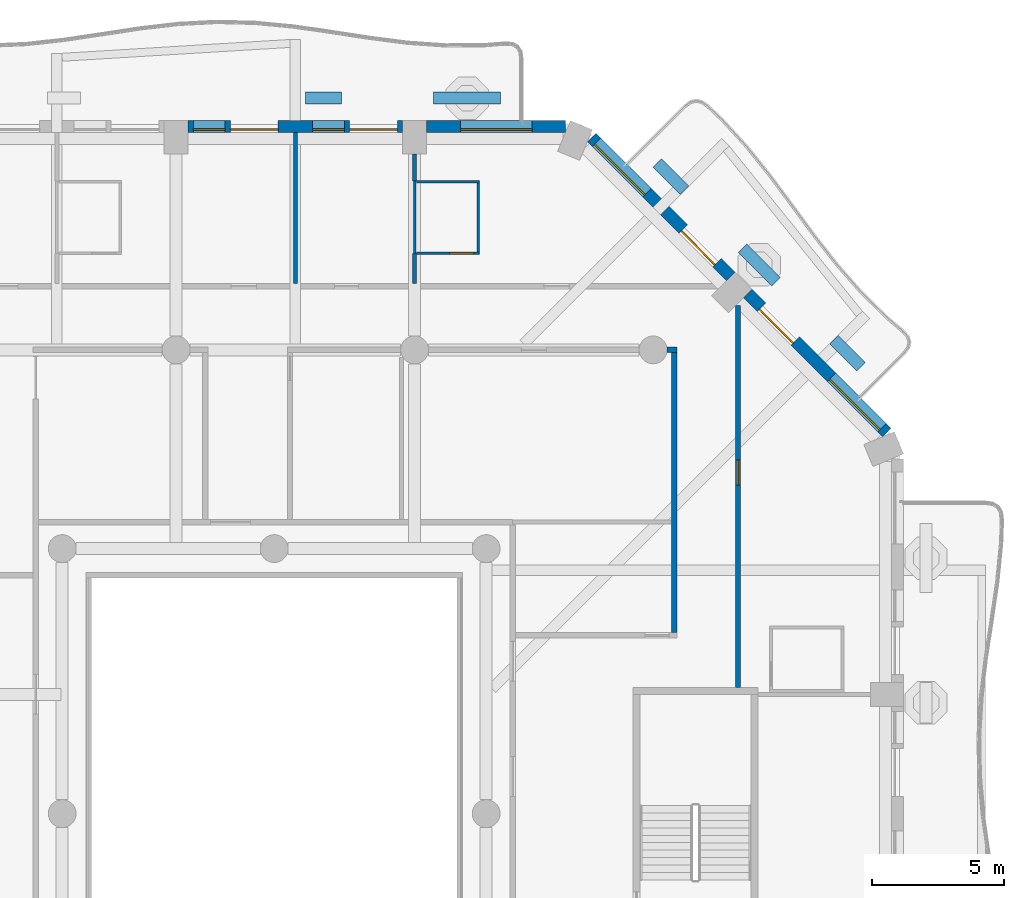
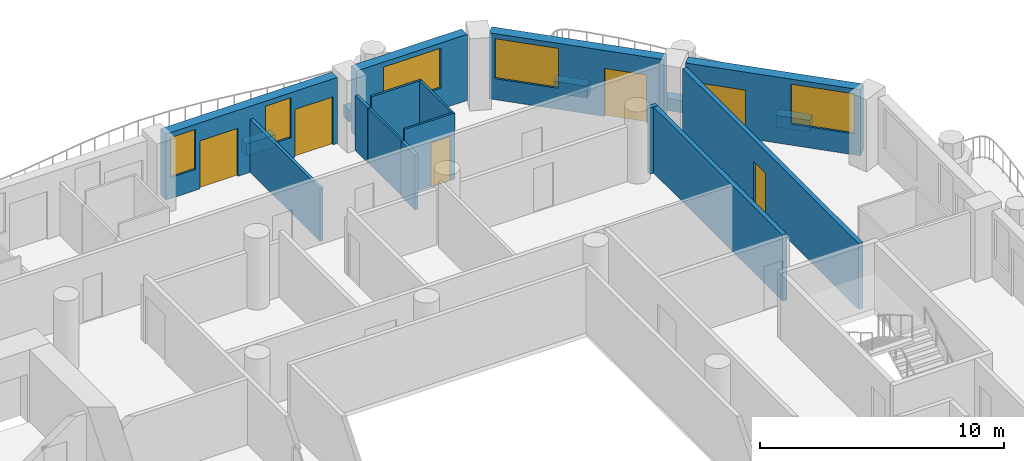
# One storey, part 9 of 19: 19 walls, 6 doors, 5 windows, 11 openings.
"""IFC4 building model written with IfcOpenShell, lengths in metres."""

from ifc_helpers import new_model, si_unit, direction, frame, frame_2d, origin, place, context, subcontext, project, spatial, rectangle, extrude, material, layer, layer_set, type_object, element, fill, save


model = new_model("IFC4")

# Units and contexts
model_context = context("Model", 3, precision=1e-05, world=origin(), true_north=direction((0.0, 1.0)))
body_context = subcontext(model_context, "Body", "Model", "MODEL_VIEW")
ifc_project = project(units=[si_unit("LENGTHUNIT", "METRE"), si_unit("AREAUNIT", "SQUARE_METRE"), si_unit("VOLUMEUNIT", "CUBIC_METRE"), si_unit("PLANEANGLEUNIT", "RADIAN"), si_unit("MASSUNIT", "GRAM", prefix="KILO")], contexts=[model_context])

# Site, building, storey
site_placement = place(None, origin())
site = spatial("IfcSite", under=ifc_project, at=site_placement, CompositionType="ELEMENT")
building_placement = place(site_placement, origin())
building = spatial("IfcBuilding", under=site, at=building_placement, Name="Cypress Arch Tower", CompositionType="ELEMENT")
storey_placement = place(building_placement, frame((0.0, 0.0, 105.89990234375)))
storey = spatial("IfcBuildingStorey", under=building, at=storey_placement, Name="L21", CompositionType="ELEMENT", Elevation=105.89990234375)

# Walls
ifc_material_1 = material(Name="Concrete C40/50, waterproofed", Category="concrete")
ifc_layer_1 = layer(ifc_material_1, 0.449951171875)
ifc_layer_set_1 = layer_set([ifc_layer_1], Name="Balcony planter wall PW450")
wall_type_1 = type_object("IfcWallType", Name="Balcony planter wall PW450", PredefinedType="SOLIDWALL", material=ifc_layer_set_1)
wall_1_placement = place(storey_placement, frame((23.150390625, 16.86376953125, 0.0), z_axis=(0.0, 0.0, 1.0), x_axis=(-0.707106781187, 0.707106781187, 0.0)))
element("IfcWall", 1, at=wall_1_placement, inside=storey, type_object=wall_type_1, Name="Balcony planter wall L21-A07.1", PredefinedType="SOLIDWALL", context=body_context, shape_type="SweptSolid", body=[
    extrude(rectangle(XDim=1.44482421875, YDim=0.449951171875, at=frame_2d((0.722412109375, 0.0))), origin(), (0.0, 0.0, 1.0), 0.60009765625),
])
wall_2_placement = place(storey_placement, frame((19.9365234375, 20.07763671875, 0.0), z_axis=(0.0, 0.0, 1.0), x_axis=(-0.707106781187, 0.707106781187, 0.0)))
element("IfcWall", 2, at=wall_2_placement, inside=storey, type_object=wall_type_1, Name="Balcony planter wall L21-A07.2", PredefinedType="SOLIDWALL", context=body_context, shape_type="SweptSolid", body=[
    extrude(rectangle(XDim=1.780517578125, YDim=0.449951171875, at=frame_2d((0.89013671875, 0.0))), origin(), (0.0, 0.0, 1.0), 0.60009765625),
])
wall_3_placement = place(storey_placement, frame((16.485595703125, 23.528564453125, 0.0), z_axis=(0.0, 0.0, 1.0), x_axis=(-0.707022305137, 0.707191247145, 0.0)))
element("IfcWall", 3, at=wall_3_placement, inside=storey, type_object=wall_type_1, Name="Balcony planter wall L21-A07.3", PredefinedType="SOLIDWALL", context=body_context, shape_type="SweptSolid", body=[
    extrude(rectangle(XDim=1.445068359375, YDim=0.449951171875, at=frame_2d((0.72265625, 0.0))), origin(), (0.0, 0.0, 1.0), 0.60009765625),
])
wall_4_placement = place(storey_placement, frame((9.550048828125, 27.0, 0.0), z_axis=(0.0, 0.0, 1.0), x_axis=(-1.0, 0.0, 0.0)))
element("IfcWall", 4, at=wall_4_placement, inside=storey, type_object=wall_type_1, Name="Balcony planter wall L21-A08.1", PredefinedType="SOLIDWALL", context=body_context, shape_type="SweptSolid", body=[
    extrude(rectangle(XDim=2.53759765625, YDim=0.449951171875, at=frame_2d((1.268798828125, 0.0))), origin(), (0.0, 0.0, 1.0), 0.60009765625),
])
wall_5_placement = place(storey_placement, frame((3.550048828125, 27.0, 0.0), z_axis=(0.0, 0.0, 1.0), x_axis=(-1.0, 0.0, 0.0)))
element("IfcWall", 5, at=wall_5_placement, inside=storey, type_object=wall_type_1, Name="Balcony planter wall L21-A08.2", PredefinedType="SOLIDWALL", context=body_context, shape_type="SweptSolid", body=[
    extrude(rectangle(XDim=1.375, YDim=0.449951171875, at=frame_2d((0.6875, 0.0))), origin(), (0.0, 0.0, 1.0), 0.60009765625),
])

# Wall, openings, door, window
ifc_material_2 = material(Name="Brick (red buff blend)", Category="masonry")
ifc_layer_2 = layer(ifc_material_2, 0.449951171875)
ifc_layer_set_2 = layer_set([ifc_layer_2], Name="Brick pier and spandrel wall BW450")
wall_type_2 = type_object("IfcWallType", Name="Brick pier and spandrel wall BW450", PredefinedType="SOLIDWALL", material=ifc_layer_set_2)
wall_6_placement = place(storey_placement, frame((24.11474609375, 14.379150390625, 0.0), z_axis=(0.0, 0.0, 1.0), x_axis=(-0.707106781187, 0.707106781187, 0.0)))
wall_6 = element("IfcWall", 6, at=wall_6_placement, inside=storey, type_object=wall_type_2, Name="Brick wall L21 A07.0", PredefinedType="SOLIDWALL", context=body_context, shape_type="SweptSolid", body=[
    extrude(rectangle(XDim=7.423828125, YDim=0.449951171875, at=frame_2d((3.7119140625, 0.0))), origin(), (0.0, 0.0, 1.0), 3.300048828125),
])
opening_1_placement = place(wall_6_placement, frame((0.253173828125, 0.0, 1.050048828125)))
opening_1 = element("IfcOpeningElement", 7, at=opening_1_placement, cuts=wall_6, Name="Opening W270HD", PredefinedType="OPENING", context=body_context, shape_type="SweptSolid", body=[
    extrude(rectangle(XDim=2.699951171875, YDim=2.0, at=frame_2d((1.35009765625, 1.0))), frame((0.0, 0.23486328125, 0.0), z_axis=(0.0, -1.0, 0.0), x_axis=(1.0, 0.0, 0.0)), (0.0, 0.0, 1.0), 0.469970703125),
])
opening_2_placement = place(wall_6_placement, frame((4.8837890625, 0.0, 0.0)))
opening_2 = element("IfcOpeningElement", 8, at=opening_2_placement, cuts=wall_6, Name="Opening D-L21-A07.0.2", PredefinedType="OPENING", context=body_context, shape_type="SweptSolid", body=[
    extrude(rectangle(XDim=1.800048828125, YDim=2.39990234375, at=frame_2d((0.89990234375, 1.199951171875))), frame((0.0, 0.23486328125, 0.0), z_axis=(0.0, -1.0, 0.0), x_axis=(1.0, 0.0, 0.0)), (0.0, 0.0, 1.0), 0.469970703125),
])
ifc_material_3 = material(Name="Anodised aluminium, bronze finish, laminated low-emissivity double glazing, large-missile impact rated", Category="aluminium")
door_type_1 = type_object("IfcDoorType", Name="Balcony sliding door 1800x2400", OperationType="SLIDING_TO_LEFT", PredefinedType="DOOR", material=ifc_material_3)
door_1_placement = place(opening_2_placement, origin())
door_1 = element("IfcDoor", 9, at=door_1_placement, inside=storey, type_object=door_type_1, Name="Balcony door L21 A07.0.2", OperationType="SLIDING_TO_LEFT", OverallHeight=2.39990234375, OverallWidth=1.800048828125, PredefinedType="DOOR", context=body_context, shape_type="SweptSolid", body=[
    extrude(rectangle(XDim=1.800048828125, YDim=2.39990234375, at=frame_2d((0.89990234375, 1.199951171875))), frame((0.0, 0.1298828125, 0.0), z_axis=(0.0, -1.0, 0.0), x_axis=(1.0, 0.0, 0.0)), (0.0, 0.0, 1.0), 0.050048828125),
])
fill(opening_2, door_1)
ifc_material_4 = material(Name="Anodised aluminium, bronze finish, laminated low-emissivity double glazing, large-missile impact rated", Category="aluminium")
window_type_1 = type_object("IfcWindowType", Name="Window Hotel 2700x2000 debris-rated", PartitioningType="SINGLE_PANEL", PredefinedType="WINDOW", material=ifc_material_4)
window_1_placement = place(opening_1_placement, origin())
window_1 = element("IfcWindow", 10, at=window_1_placement, inside=storey, type_object=window_type_1, Name="Window L21 A07.0.1", OverallHeight=2.0, OverallWidth=2.699951171875, PartitioningType="SINGLE_PANEL", PredefinedType="WINDOW", context=body_context, shape_type="SweptSolid", body=[
    extrude(rectangle(XDim=2.699951171875, YDim=2.0, at=frame_2d((1.35009765625, 1.0))), frame((0.0, 0.135009765625, 0.0), z_axis=(0.0, -1.0, 0.0), x_axis=(1.0, 0.0, 0.0)), (0.0, 0.0, 1.0), 0.06005859375),
])
fill(opening_1, window_1)

wall_7_placement = place(storey_placement, frame((18.228759765625, 20.26513671875, 0.0), z_axis=(0.0, 0.0, 1.0), x_axis=(-0.707106781187, 0.707106781187, 0.0)))
wall_7 = element("IfcWall", 11, at=wall_7_placement, inside=storey, type_object=wall_type_2, Name="Brick wall L21 A07.1", PredefinedType="SOLIDWALL", context=body_context, shape_type="SweptSolid", body=[
    extrude(rectangle(XDim=7.423828125, YDim=0.449951171875, at=frame_2d((3.7119140625, 0.0))), origin(), (0.0, 0.0, 1.0), 3.300048828125),
])
opening_3_placement = place(wall_7_placement, frame((0.740234375, 0.0, 0.0)))
opening_3 = element("IfcOpeningElement", 12, at=opening_3_placement, cuts=wall_7, Name="Opening D-L21-A07.1.1", PredefinedType="OPENING", context=body_context, shape_type="SweptSolid", body=[
    extrude(rectangle(XDim=1.800048828125, YDim=2.39990234375, at=frame_2d((0.89990234375, 1.199951171875))), frame((0.0, 0.23486328125, 0.0), z_axis=(0.0, -1.0, 0.0), x_axis=(1.0, 0.0, 0.0)), (0.0, 0.0, 1.0), 0.469970703125),
])
opening_4_placement = place(wall_7_placement, frame((4.470703125, 0.0, 1.050048828125)))
opening_4 = element("IfcOpeningElement", 13, at=opening_4_placement, cuts=wall_7, Name="Opening W270HD", PredefinedType="OPENING", context=body_context, shape_type="SweptSolid", body=[
    extrude(rectangle(XDim=2.699951171875, YDim=2.0, at=frame_2d((1.35009765625, 1.0))), frame((0.0, 0.23486328125, 0.0), z_axis=(0.0, -1.0, 0.0), x_axis=(1.0, 0.0, 0.0)), (0.0, 0.0, 1.0), 0.469970703125),
])
door_2_placement = place(opening_3_placement, origin())
door_2 = element("IfcDoor", 14, at=door_2_placement, inside=storey, type_object=door_type_1, Name="Balcony door L21 A07.1.1", OperationType="SLIDING_TO_LEFT", OverallHeight=2.39990234375, OverallWidth=1.800048828125, PredefinedType="DOOR", context=body_context, shape_type="SweptSolid", body=[
    extrude(rectangle(XDim=1.800048828125, YDim=2.39990234375, at=frame_2d((0.89990234375, 1.199951171875))), frame((0.0, 0.1298828125, 0.0), z_axis=(0.0, -1.0, 0.0), x_axis=(1.0, 0.0, 0.0)), (0.0, 0.0, 1.0), 0.050048828125),
])
fill(opening_3, door_2)
window_2_placement = place(opening_4_placement, origin())
window_2 = element("IfcWindow", 15, at=window_2_placement, inside=storey, type_object=window_type_1, Name="Window L21 A07.1.2", OverallHeight=2.0, OverallWidth=2.699951171875, PartitioningType="SINGLE_PANEL", PredefinedType="WINDOW", context=body_context, shape_type="SweptSolid", body=[
    extrude(rectangle(XDim=2.699951171875, YDim=2.0, at=frame_2d((1.35009765625, 1.0))), frame((0.0, 0.135009765625, 0.0), z_axis=(0.0, -1.0, 0.0), x_axis=(1.0, 0.0, 0.0)), (0.0, 0.0, 1.0), 0.06005859375),
])
fill(opening_4, window_2)

# Wall, opening, window
wall_8_placement = place(storey_placement, frame((11.98876953125, 25.925048828125, 0.0), z_axis=(0.0, 0.0, 1.0), x_axis=(-1.0, 0.0, 0.0)))
wall_8 = element("IfcWall", 16, at=wall_8_placement, inside=storey, type_object=wall_type_2, Name="Brick wall L21 A08.0", PredefinedType="SOLIDWALL", context=body_context, shape_type="SweptSolid", body=[
    extrude(rectangle(XDim=5.23876953125, YDim=0.449951171875, at=frame_2d((2.619384765625, 0.0))), origin(), (0.0, 0.0, 1.0), 3.300048828125),
])
opening_5_placement = place(wall_8_placement, frame((1.250732421875, 0.0, 1.050048828125)))
opening_5 = element("IfcOpeningElement", 17, at=opening_5_placement, cuts=wall_8, Name="Opening W270HD", PredefinedType="OPENING", context=body_context, shape_type="SweptSolid", body=[
    extrude(rectangle(XDim=2.699951171875, YDim=2.0, at=frame_2d((1.35009765625, 1.0))), frame((0.0, 0.23486328125, 0.0), z_axis=(0.0, -1.0, 0.0), x_axis=(1.0, 0.0, 0.0)), (0.0, 0.0, 1.0), 0.469970703125),
])
window_3_placement = place(opening_5_placement, origin())
window_3 = element("IfcWindow", 18, at=window_3_placement, inside=storey, type_object=window_type_1, Name="Window L21 A08.0.1", OverallHeight=2.0, OverallWidth=2.699951171875, PartitioningType="SINGLE_PANEL", PredefinedType="WINDOW", context=body_context, shape_type="SweptSolid", body=[
    extrude(rectangle(XDim=2.699951171875, YDim=2.0, at=frame_2d((1.35009765625, 1.0))), frame((0.0, 0.135009765625, 0.0), z_axis=(0.0, -1.0, 0.0), x_axis=(1.0, 0.0, 0.0)), (0.0, 0.0, 1.0), 0.06005859375),
])
fill(opening_5, window_3)

# Wall, openings, doors, windows
wall_9_placement = place(storey_placement, frame((5.85009765625, 25.925048828125, 0.0), z_axis=(0.0, 0.0, 1.0), x_axis=(-1.0, 0.0, 0.0)))
wall_9 = element("IfcWall", 19, at=wall_9_placement, inside=storey, type_object=wall_type_2, Name="Brick wall L21 A08.1", PredefinedType="SOLIDWALL", context=body_context, shape_type="SweptSolid", body=[
    extrude(rectangle(XDim=8.10009765625, YDim=0.449951171875, at=frame_2d((4.050048828125, 0.0))), origin(), (0.0, 0.0, 1.0), 3.300048828125),
])
opening_6_placement = place(wall_9_placement, frame((0.199951171875, 0.0, 0.0)))
opening_6 = element("IfcOpeningElement", 20, at=opening_6_placement, cuts=wall_9, Name="Opening D-L21-A08.1.1", PredefinedType="OPENING", context=body_context, shape_type="SweptSolid", body=[
    extrude(rectangle(XDim=1.800048828125, YDim=2.39990234375, at=frame_2d((0.89990234375, 1.199951171875))), frame((0.0, 0.23486328125, 0.0), z_axis=(0.0, -1.0, 0.0), x_axis=(1.0, 0.0, 0.0)), (0.0, 0.0, 1.0), 0.469970703125),
])
opening_7_placement = place(wall_9_placement, frame((2.199951171875, 0.0, 1.050048828125)))
opening_7 = element("IfcOpeningElement", 21, at=opening_7_placement, cuts=wall_9, Name="Opening W120HD", PredefinedType="OPENING", context=body_context, shape_type="SweptSolid", body=[
    extrude(rectangle(XDim=1.199951171875, YDim=2.0, at=frame_2d((0.60009765625, 1.0))), frame((0.0, 0.23486328125, 0.0), z_axis=(0.0, -1.0, 0.0), x_axis=(1.0, 0.0, 0.0)), (0.0, 0.0, 1.0), 0.469970703125),
])
opening_8_placement = place(wall_9_placement, frame((4.699951171875, 0.0, 0.0)))
opening_8 = element("IfcOpeningElement", 22, at=opening_8_placement, cuts=wall_9, Name="Opening D-L21-A08.1.2", PredefinedType="OPENING", context=body_context, shape_type="SweptSolid", body=[
    extrude(rectangle(XDim=1.800048828125, YDim=2.39990234375, at=frame_2d((0.89990234375, 1.199951171875))), frame((0.0, 0.23486328125, 0.0), z_axis=(0.0, -1.0, 0.0), x_axis=(1.0, 0.0, 0.0)), (0.0, 0.0, 1.0), 0.469970703125),
])
opening_9_placement = place(wall_9_placement, frame((6.699951171875, 0.0, 1.050048828125)))
opening_9 = element("IfcOpeningElement", 23, at=opening_9_placement, cuts=wall_9, Name="Opening W120HD", PredefinedType="OPENING", context=body_context, shape_type="SweptSolid", body=[
    extrude(rectangle(XDim=1.199951171875, YDim=2.0, at=frame_2d((0.60009765625, 1.0))), frame((0.0, 0.23486328125, 0.0), z_axis=(0.0, -1.0, 0.0), x_axis=(1.0, 0.0, 0.0)), (0.0, 0.0, 1.0), 0.469970703125),
])
door_3_placement = place(opening_6_placement, origin())
door_3 = element("IfcDoor", 24, at=door_3_placement, inside=storey, type_object=door_type_1, Name="Balcony door L21 A08.1.1", OperationType="SLIDING_TO_LEFT", OverallHeight=2.39990234375, OverallWidth=1.800048828125, PredefinedType="DOOR", context=body_context, shape_type="SweptSolid", body=[
    extrude(rectangle(XDim=1.800048828125, YDim=2.39990234375, at=frame_2d((0.89990234375, 1.199951171875))), frame((0.0, 0.1298828125, 0.0), z_axis=(0.0, -1.0, 0.0), x_axis=(1.0, 0.0, 0.0)), (0.0, 0.0, 1.0), 0.050048828125),
])
fill(opening_6, door_3)
door_4_placement = place(opening_8_placement, origin())
door_4 = element("IfcDoor", 25, at=door_4_placement, inside=storey, type_object=door_type_1, Name="Balcony door L21 A08.1.2", OperationType="SLIDING_TO_LEFT", OverallHeight=2.39990234375, OverallWidth=1.800048828125, PredefinedType="DOOR", context=body_context, shape_type="SweptSolid", body=[
    extrude(rectangle(XDim=1.800048828125, YDim=2.39990234375, at=frame_2d((0.89990234375, 1.199951171875))), frame((0.0, 0.1298828125, 0.0), z_axis=(0.0, -1.0, 0.0), x_axis=(1.0, 0.0, 0.0)), (0.0, 0.0, 1.0), 0.050048828125),
])
fill(opening_8, door_4)
ifc_material_5 = material(Name="Anodised aluminium, bronze finish, laminated low-emissivity double glazing, large-missile impact rated", Category="aluminium")
window_type_2 = type_object("IfcWindowType", Name="Window Hotel 1200x2000 debris-rated", PartitioningType="SINGLE_PANEL", PredefinedType="WINDOW", material=ifc_material_5)
window_4_placement = place(opening_7_placement, origin())
window_4 = element("IfcWindow", 26, at=window_4_placement, inside=storey, type_object=window_type_2, Name="Window L21 A08.1.1", OverallHeight=2.0, OverallWidth=1.199951171875, PartitioningType="SINGLE_PANEL", PredefinedType="WINDOW", context=body_context, shape_type="SweptSolid", body=[
    extrude(rectangle(XDim=1.199951171875, YDim=2.0, at=frame_2d((0.60009765625, 1.0))), frame((0.0, 0.135009765625, 0.0), z_axis=(0.0, -1.0, 0.0), x_axis=(1.0, 0.0, 0.0)), (0.0, 0.0, 1.0), 0.06005859375),
])
fill(opening_7, window_4)
window_5_placement = place(opening_9_placement, origin())
window_5 = element("IfcWindow", 27, at=window_5_placement, inside=storey, type_object=window_type_2, Name="Window L21 A08.1.2", OverallHeight=2.0, OverallWidth=1.199951171875, PartitioningType="SINGLE_PANEL", PredefinedType="WINDOW", context=body_context, shape_type="SweptSolid", body=[
    extrude(rectangle(XDim=1.199951171875, YDim=2.0, at=frame_2d((0.60009765625, 1.0))), frame((0.0, 0.135009765625, 0.0), z_axis=(0.0, -1.0, 0.0), x_axis=(1.0, 0.0, 0.0)), (0.0, 0.0, 1.0), 0.06005859375),
])
fill(opening_9, window_5)

# Walls
ifc_material_6 = material(Name="Concrete blockwork, plastered, rated", Category="masonry")
ifc_layer_3 = layer(ifc_material_6, 0.199951171875)
ifc_layer_set_3 = layer_set([ifc_layer_3], Name="Corridor wall FW200")
wall_type_3 = type_object("IfcWallType", Name="Corridor wall FW200", PredefinedType="PARTITIONING", material=ifc_layer_set_3)
wall_10_placement = place(storey_placement, frame((15.824951171875, 17.5, 0.0), z_axis=(0.0, 0.0, 1.0), x_axis=(1.0, 0.0, 0.0)))
element("IfcWall", 28, at=wall_10_placement, inside=storey, type_object=wall_type_3, Name="Corridor wall", PredefinedType="PARTITIONING", context=body_context, shape_type="SweptSolid", body=[
    extrude(rectangle(XDim=0.375, YDim=0.199951171875, at=frame_2d((0.1875, 0.0))), origin(), (0.0, 0.0, 1.0), 3.300048828125),
])
wall_11_placement = place(storey_placement, frame((16.10009765625, 6.824951171875, 0.0), z_axis=(0.0, 0.0, 1.0), x_axis=(0.0, 1.0, 0.0)))
element("IfcWall", 29, at=wall_11_placement, inside=storey, type_object=wall_type_3, Name="Corridor wall", PredefinedType="PARTITIONING", context=body_context, shape_type="SweptSolid", body=[
    extrude(rectangle(XDim=10.574951171875, YDim=0.199951171875, at=frame_2d((5.28759765625, 0.0))), origin(), (0.0, 0.0, 1.0), 3.300048828125),
])

# Wall, opening, door
wall_12_placement = place(storey_placement, frame((18.5, 4.75, 0.0), z_axis=(0.0, 0.0, 1.0), x_axis=(0.0, 1.0, 0.0)))
wall_12 = element("IfcWall", 30, at=wall_12_placement, inside=storey, type_object=wall_type_3, Name="Corridor wall", PredefinedType="PARTITIONING", context=body_context, shape_type="SweptSolid", body=[
    extrude(rectangle(XDim=14.43359375, YDim=0.199951171875, at=frame_2d((7.216796875, 0.0))), origin(), (0.0, 0.0, 1.0), 3.300048828125),
])
opening_10_placement = place(wall_12_placement, frame((7.64990234375, 0.0, 0.0)))
opening_10 = element("IfcOpeningElement", 31, at=opening_10_placement, cuts=wall_12, Name="Opening D02", PredefinedType="OPENING", context=body_context, shape_type="SweptSolid", body=[
    extrude(rectangle(XDim=0.949951171875, YDim=2.199951171875, at=frame_2d((0.47509765625, 1.10009765625))), frame((0.0, 0.10986328125, 0.0), z_axis=(0.0, -1.0, 0.0), x_axis=(1.0, 0.0, 0.0)), (0.0, 0.0, 1.0), 0.219970703125),
])
ifc_material_7 = material(Name="Timber flush door, fire resisting", Category="wood")
door_type_2 = type_object("IfcDoorType", Name="Room door D02 950x2200", OperationType="SINGLE_SWING_LEFT", PredefinedType="DOOR", material=ifc_material_7)
door_5_placement = place(opening_10_placement, origin())
door_5 = element("IfcDoor", 32, at=door_5_placement, inside=storey, type_object=door_type_2, Name="Room door", OperationType="SINGLE_SWING_LEFT", OverallHeight=2.199951171875, OverallWidth=0.949951171875, PredefinedType="DOOR", context=body_context, shape_type="SweptSolid", body=[
    extrude(rectangle(XDim=0.949951171875, YDim=2.199951171875, at=frame_2d((0.47509765625, 1.10009765625))), frame((0.0, 0.02490234375, 0.0), z_axis=(0.0, -1.0, 0.0), x_axis=(1.0, 0.0, 0.0)), (0.0, 0.0, 1.0), 0.050048828125),
])
fill(opening_10, door_5)

# Walls
ifc_material_8 = material(Name="Blockwork, plastered both sides", Category="masonry")
ifc_layer_4 = layer(ifc_material_8, 0.14990234375)
ifc_layer_set_4 = layer_set([ifc_layer_4], Name="Partition PW150")
wall_type_4 = type_object("IfcWallType", Name="Partition PW150", PredefinedType="PARTITIONING", material=ifc_layer_set_4)
wall_13_placement = place(storey_placement, frame((1.800048828125, 20.0, 0.0), z_axis=(0.0, 0.0, 1.0), x_axis=(0.0, 1.0, 0.0)))
element("IfcWall", 33, at=wall_13_placement, inside=storey, type_object=wall_type_4, Name="Partition", PredefinedType="PARTITIONING", context=body_context, shape_type="SweptSolid", body=[
    extrude(rectangle(XDim=5.699951171875, YDim=0.14990234375, at=frame_2d((2.85009765625, 0.0))), origin(), (0.0, 0.0, 1.0), 2.650146484375),
])
wall_14_placement = place(storey_placement, frame((6.300048828125, 20.0, 0.0), z_axis=(0.0, 0.0, 1.0), x_axis=(0.0, 1.0, 0.0)))
element("IfcWall", 34, at=wall_14_placement, inside=storey, type_object=wall_type_4, Name="Partition", PredefinedType="PARTITIONING", context=body_context, shape_type="SweptSolid", body=[
    extrude(rectangle(XDim=1.1298828125, YDim=0.14990234375, at=frame_2d((0.56494140625, 0.0))), origin(), (0.0, 0.0, 1.0), 2.75),
])
wall_15_placement = place(storey_placement, frame((6.300048828125, 23.8701171875, 0.0), z_axis=(0.0, 0.0, 1.0), x_axis=(0.0, 1.0, 0.0)))
element("IfcWall", 35, at=wall_15_placement, inside=storey, type_object=wall_type_4, Name="Partition", PredefinedType="PARTITIONING", context=body_context, shape_type="SweptSolid", body=[
    extrude(rectangle(XDim=1.02978515625, YDim=0.14990234375, at=frame_2d((0.514892578125, 0.0))), origin(), (0.0, 0.0, 1.0), 2.75),
])
ifc_material_9 = material(Name="Moisture resistant board on steel studs, tiled", Category="steel")
ifc_layer_5 = layer(ifc_material_9, 0.10009765625)
ifc_layer_set_5 = layer_set([ifc_layer_5], Name="Wet wall PW100")
wall_type_5 = type_object("IfcWallType", Name="Wet wall PW100", PredefinedType="PARTITIONING", material=ifc_layer_set_5)
wall_16_placement = place(storey_placement, frame((6.300048828125, 21.1298828125, 0.0), z_axis=(0.0, 0.0, 1.0), x_axis=(0.0, 1.0, 0.0)))
element("IfcWall", 36, at=wall_16_placement, inside=storey, type_object=wall_type_5, Name="Wet wall", PredefinedType="PARTITIONING", context=body_context, shape_type="SweptSolid", body=[
    extrude(rectangle(XDim=2.740234375, YDim=0.10009765625, at=frame_2d((1.3701171875, 0.0))), origin(), (0.0, 0.0, 1.0), 2.75),
])

# Wall, opening, door
wall_17_placement = place(storey_placement, frame((6.375, 21.14990234375, 0.0), z_axis=(0.0, 0.0, 1.0), x_axis=(1.0, 0.0, 0.0)))
wall_17 = element("IfcWall", 37, at=wall_17_placement, inside=storey, type_object=wall_type_5, Name="Wet wall", PredefinedType="PARTITIONING", context=body_context, shape_type="SweptSolid", body=[
    extrude(rectangle(XDim=2.37109375, YDim=0.10009765625, at=frame_2d((1.185546875, 0.0))), origin(), (0.0, 0.0, 1.0), 3.300048828125),
])
opening_11_placement = place(wall_17_placement, frame((1.25, 0.0, 0.0)))
opening_11 = element("IfcOpeningElement", 38, at=opening_11_placement, cuts=wall_17, Name="Opening D03", PredefinedType="OPENING", context=body_context, shape_type="SweptSolid", body=[
    extrude(rectangle(XDim=0.89990234375, YDim=2.199951171875, at=frame_2d((0.449951171875, 1.10009765625))), frame((0.0, 0.06005859375, 0.0), z_axis=(0.0, -1.0, 0.0), x_axis=(1.0, 0.0, 0.0)), (0.0, 0.0, 1.0), 0.1201171875),
])
ifc_material_10 = material(Name="Timber flush door, moisture resistant", Category="wood")
door_type_3 = type_object("IfcDoorType", Name="Bathroom door D03 900x2200", OperationType="SINGLE_SWING_LEFT", PredefinedType="DOOR", material=ifc_material_10)
door_6_placement = place(opening_11_placement, origin())
door_6 = element("IfcDoor", 39, at=door_6_placement, inside=storey, type_object=door_type_3, Name="Bathroom door", OperationType="SINGLE_SWING_RIGHT", OverallHeight=2.199951171875, OverallWidth=0.89990234375, PredefinedType="DOOR", context=body_context, shape_type="SweptSolid", body=[
    extrude(rectangle(XDim=0.89990234375, YDim=2.199951171875, at=frame_2d((0.449951171875, 1.10009765625))), frame((0.0, 0.02490234375, 0.0), z_axis=(0.0, -1.0, 0.0), x_axis=(1.0, 0.0, 0.0)), (0.0, 0.0, 1.0), 0.050048828125),
])
fill(opening_11, door_6)

# Walls
wall_18_placement = place(storey_placement, frame((6.375, 23.85009765625, 0.0), z_axis=(0.0, 0.0, 1.0), x_axis=(1.0, 0.0, 0.0)))
element("IfcWall", 40, at=wall_18_placement, inside=storey, type_object=wall_type_5, Name="Wet wall", PredefinedType="PARTITIONING", context=body_context, shape_type="SweptSolid", body=[
    extrude(rectangle(XDim=2.37109375, YDim=0.10009765625, at=frame_2d((1.185546875, 0.0))), origin(), (0.0, 0.0, 1.0), 3.300048828125),
])
wall_19_placement = place(storey_placement, frame((8.696044921875, 21.199951171875, 0.0), z_axis=(0.0, 0.0, 1.0), x_axis=(0.0, 1.0, 0.0)))
element("IfcWall", 41, at=wall_19_placement, inside=storey, type_object=wall_type_5, Name="Wet wall", PredefinedType="PARTITIONING", context=body_context, shape_type="SweptSolid", body=[
    extrude(rectangle(XDim=2.60009765625, YDim=0.10009765625, at=frame_2d((1.300048828125, 0.0))), origin(), (0.0, 0.0, 1.0), 3.300048828125),
])

save(model, "model.ifc")
